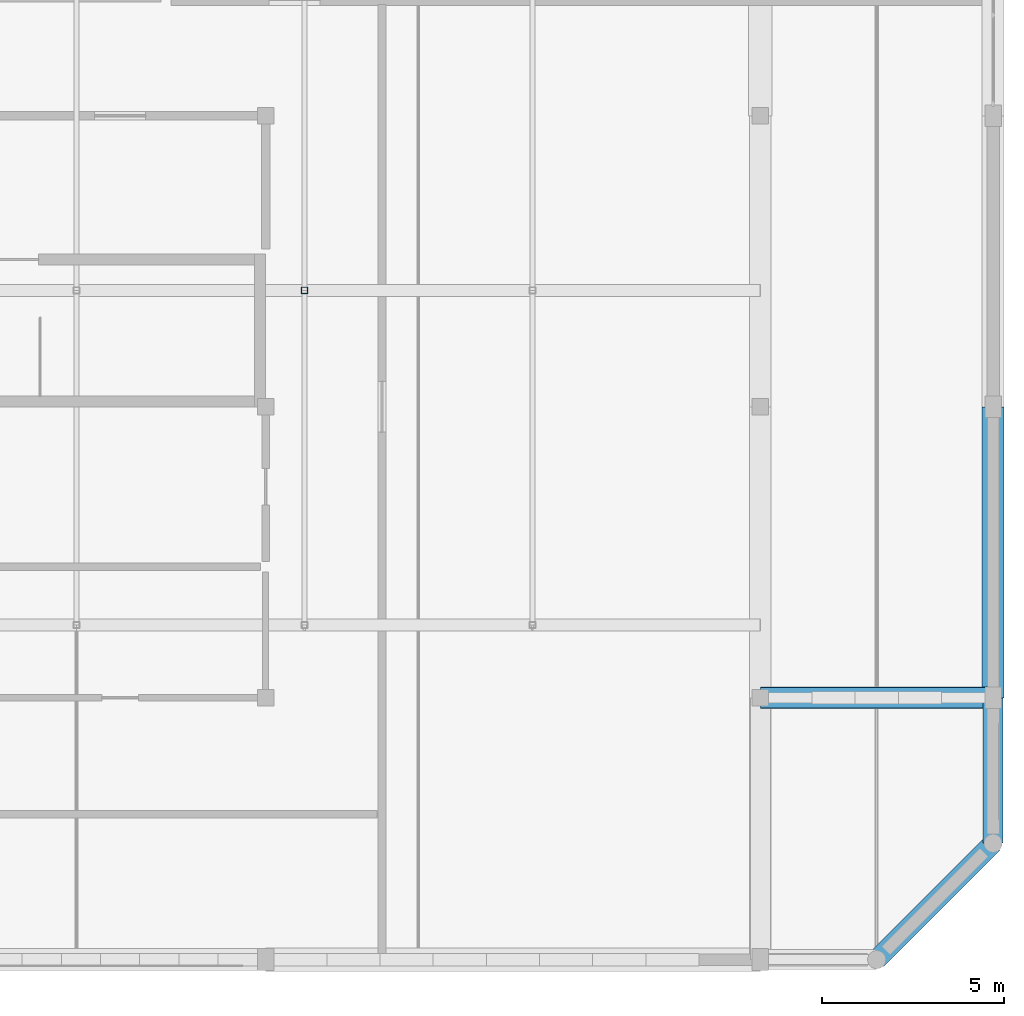
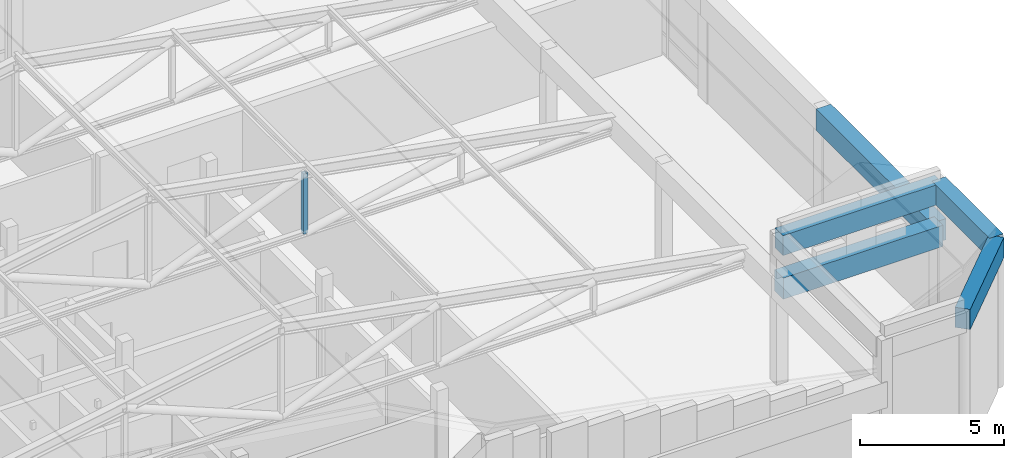
# One storey, part 13 of 24: 5 beams, 1 member.
"""IFC4 building model written with IfcOpenShell, lengths in metres."""

from ifc_helpers import new_model, si_unit, direction, frame, origin, origin_2d, place, context, subcontext, project, spatial, rectangle, hollow_rectangle, extrude, material, material_profile, profile_set, type_object, element, save


model = new_model("IFC4")

# Units and contexts
model_context = context("Model", 3, precision=1e-05, world=origin(), true_north=direction((0.0, 1.0)))
body_context = subcontext(model_context, "Body", "Model", "MODEL_VIEW")
ifc_project = project(units=[si_unit("LENGTHUNIT", "METRE"), si_unit("AREAUNIT", "SQUARE_METRE"), si_unit("VOLUMEUNIT", "CUBIC_METRE"), si_unit("PLANEANGLEUNIT", "RADIAN"), si_unit("MASSUNIT", "GRAM", prefix="KILO")], contexts=[model_context])

# Site, building, storey
site_placement = place(None, origin())
site = spatial("IfcSite", under=ifc_project, at=site_placement, CompositionType="ELEMENT")
building_placement = place(site_placement, origin())
building = spatial("IfcBuilding", under=site, at=building_placement, Name="Vellmiral Cinema and Media Centre", CompositionType="ELEMENT")
storey_placement = place(building_placement, frame((0.0, 0.0, 66.60009765625)))
storey = spatial("IfcBuildingStorey", under=building, at=storey_placement, Name="L16", CompositionType="ELEMENT", Elevation=66.60009765625)

# Beams
ifc_material_1 = material(Name="Concrete C40/50", Category="concrete")
ifc_material_profile_1 = material_profile(ifc_material_1, rectangle(XDim=0.550048828125, YDim=0.85009765625, at=origin_2d()), Name="RC 550x850")
ifc_profile_set_1 = profile_set([ifc_material_profile_1], Name="Concrete C40/50")
beam_type_1 = type_object("IfcBeamType", Name="RING-BM-550x850", PredefinedType="BEAM", material=ifc_profile_set_1)
beam_1_placement = place(storey_placement, frame((161.60009765625, 79.199951171875, 5.85498046875), z_axis=(1.0, 0.0, 0.0), x_axis=(0.0, 1.0, 0.0)))
element("IfcBeam", 1, at=beam_1_placement, inside=storey, type_object=beam_type_1, Name="Torratxa Turret Ring Beam SE-02", PredefinedType="BEAM", context=body_context, shape_type="SweptSolid", body=[
    extrude(rectangle(XDim=0.550048828125, YDim=0.85009765625, at=origin_2d()), origin(), (0.0, 0.0, 1.0), 6.39990234375),
])
beam_2_placement = place(storey_placement, frame((168.0, 75.199951171875, 5.85498046875), z_axis=(0.0, 1.0, 0.0), x_axis=(-1.0, 0.0, 0.0)))
element("IfcBeam", 2, at=beam_2_placement, inside=storey, type_object=beam_type_1, Name="Torratxa Turret Ring Beam SE-04", PredefinedType="BEAM", context=body_context, shape_type="SweptSolid", body=[
    extrude(rectangle(XDim=0.550048828125, YDim=0.85009765625, at=origin_2d()), origin(), (0.0, 0.0, 1.0), 4.0),
])
beam_3_placement = place(storey_placement, frame((164.800048828125, 72.0, 5.85498046875), z_axis=(0.707106781187, 0.707106781187, 0.0), x_axis=(-0.707106781187, 0.707106781187, 0.0)))
element("IfcBeam", 3, at=beam_3_placement, inside=storey, type_object=beam_type_1, Name="Torratxa Turret Ring Beam SE-05", PredefinedType="BEAM", context=body_context, shape_type="SweptSolid", body=[
    extrude(rectangle(XDim=0.550048828125, YDim=0.85009765625, at=origin_2d()), origin(), (0.0, 0.0, 1.0), 4.525390625),
])
ifc_material_2 = material(Name="Concrete C40/50", Category="concrete")
ifc_material_profile_2 = material_profile(ifc_material_2, rectangle(XDim=0.60009765625, YDim=0.89990234375, at=origin_2d()), Name="RC 600x900")
ifc_profile_set_2 = profile_set([ifc_material_profile_2], Name="Concrete C40/50")
beam_type_2 = type_object("IfcBeamType", Name="RING-BM-600x900", PredefinedType="BEAM", material=ifc_profile_set_2)
beam_4_placement = place(storey_placement, frame((161.60009765625, 79.199951171875, 4.0498046875), z_axis=(1.0, 0.0, 0.0), x_axis=(0.0, 1.0, 0.0)))
element("IfcBeam", 4, at=beam_4_placement, inside=storey, type_object=beam_type_2, Name="Tower Crown East Gallery Vault Ring Beam 01", PredefinedType="BEAM", context=body_context, shape_type="SweptSolid", body=[
    extrude(rectangle(XDim=0.60009765625, YDim=0.89990234375, at=origin_2d()), origin(), (0.0, 0.0, 1.0), 6.39990234375),
])
beam_5_placement = place(storey_placement, frame((168.0, 79.199951171875, 4.0498046875), z_axis=(0.0, 1.0, 0.0), x_axis=(-1.0, 0.0, 0.0)))
element("IfcBeam", 5, at=beam_5_placement, inside=storey, type_object=beam_type_2, Name="Tower Crown East Gallery Vault Ring Beam 03", PredefinedType="BEAM", context=body_context, shape_type="SweptSolid", body=[
    extrude(rectangle(XDim=0.60009765625, YDim=0.89990234375, at=origin_2d()), origin(), (0.0, 0.0, 1.0), 8.0),
])

# Member
ifc_material_3 = material(Name="Steel S355", Category="steel")
ifc_material_profile_3 = material_profile(ifc_material_3, hollow_rectangle(XDim=0.179931640625, YDim=0.179931640625, WallThickness=0.010009765625, at=origin_2d()), Name="SHS 180x180x10.0")
ifc_profile_set_3 = profile_set([ifc_material_profile_3], Name="Steel S355")
member_type = type_object("IfcMemberType", Name="TBR-SHS180", PredefinedType="BRACE", material=ifc_profile_set_3)
member_placement = place(storey_placement, frame((149.066650390625, 90.39990234375, 3.849853515625), z_axis=(0.0, 0.0, 1.0), x_axis=(1.0, 0.0, 0.0)))
element("IfcMember", 6, at=member_placement, inside=storey, type_object=member_type, Name="Roof Truss TR-10.2 Post 4", PredefinedType="BRACE", context=body_context, shape_type="SweptSolid", body=[
    extrude(hollow_rectangle(XDim=0.179931640625, YDim=0.179931640625, WallThickness=0.010009765625, at=origin_2d()), origin(), (0.0, 0.0, 1.0), 2.546142578125),
])

save(model, "model.ifc")
